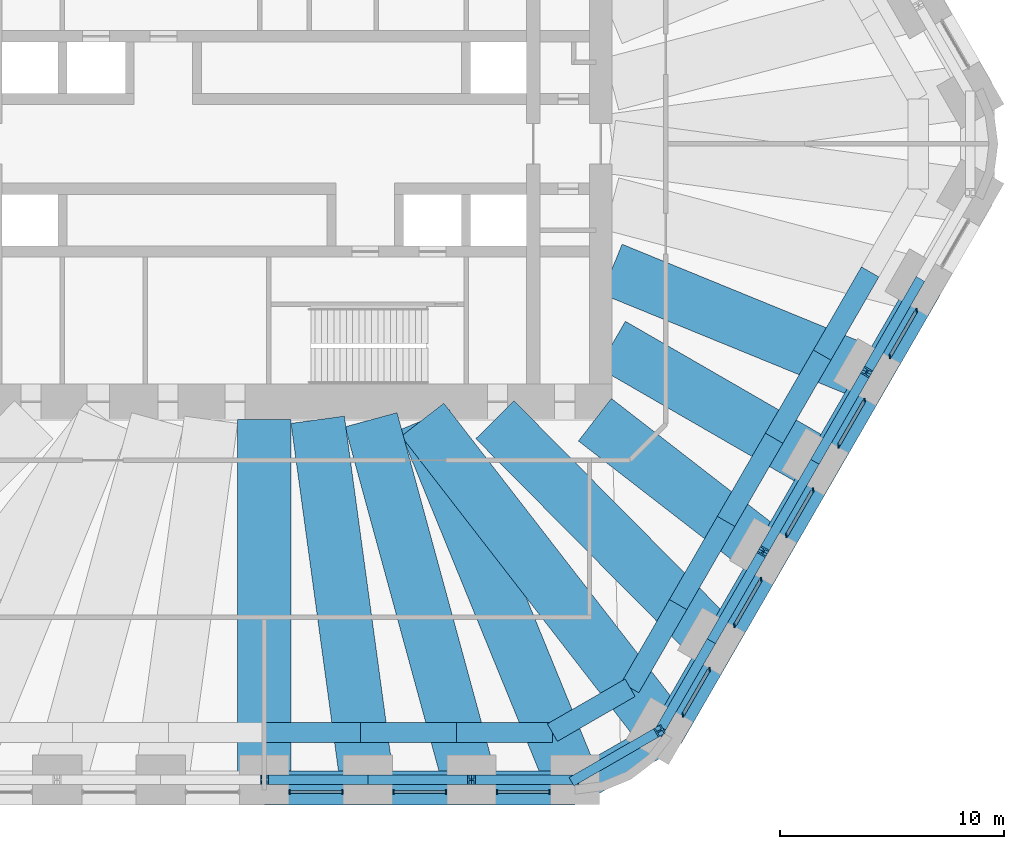
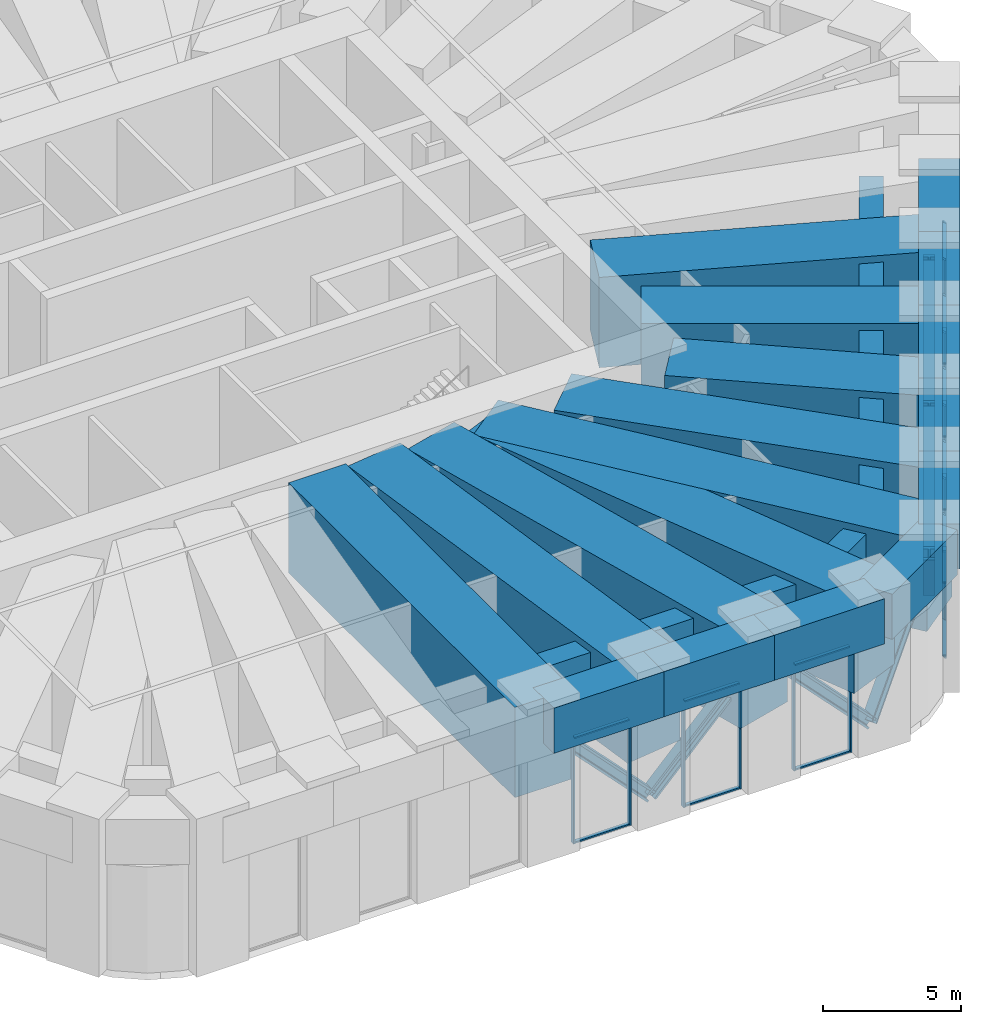
# One storey, part 4 of 14: 41 members, 27 beams, 8 elements without a shape of their own.
"""IFC4 building model written with IfcOpenShell, lengths in metres."""

from ifc_helpers import new_model, si_unit, direction, frame, origin, origin_2d, place, context, subcontext, project, spatial, rectangle, i_section, extrude, material, material_profile, profile_set, type_object, element, aggregate, save


model = new_model("IFC4")

# Units and contexts
model_context = context("Model", 3, precision=1e-05, world=origin(), true_north=direction((0.0, 1.0)))
body_context = subcontext(model_context, "Body", "Model", "MODEL_VIEW")
ifc_project = project(units=[si_unit("LENGTHUNIT", "METRE"), si_unit("AREAUNIT", "SQUARE_METRE"), si_unit("VOLUMEUNIT", "CUBIC_METRE"), si_unit("PLANEANGLEUNIT", "RADIAN"), si_unit("MASSUNIT", "GRAM", prefix="KILO")], contexts=[model_context])

# Site, building, storey
site_placement = place(None, origin())
site = spatial("IfcSite", under=ifc_project, at=site_placement, CompositionType="ELEMENT")
building_placement = place(site_placement, origin())
building = spatial("IfcBuilding", under=site, at=building_placement, Name="Tarfa Lantern Tower", CompositionType="ELEMENT")
storey_placement = place(building_placement, frame((0.0, 0.0, 299.5)))
storey = spatial("IfcBuildingStorey", under=building, at=storey_placement, Name="L68", CompositionType="ELEMENT", Elevation=299.5)

# Members
ifc_material_1 = material(Name="Steel S460M", Category="steel")
ifc_material_profile_1 = material_profile(ifc_material_1, i_section(OverallWidth=0.431884765625, OverallDepth=0.498046875, WebThickness=0.0556640625, FlangeThickness=0.0888671875, FilletRadius=0.02001953125, at=origin_2d()), Name="HD400x744")
ifc_profile_set_1 = profile_set([ifc_material_profile_1], Name="Steel S460M")
member_type_1 = type_object("IfcMemberType", Name="BT3 HD400x744", PredefinedType="BRACE", material=ifc_profile_set_1)
member_1_placement = place(storey_placement, frame((4.618896484375, -28.35009765625, 0.60009765625), z_axis=(-0.693397247337, 0.0, 0.720555519988), x_axis=(0.0, -1.0, 0.0)))
element("IfcMember", 1, at=member_1_placement, inside=storey, type_object=member_type_1, Name="Belt truss diagonal 32", PredefinedType="BRACE", context=body_context, shape_type="SweptSolid", body=[
    extrude(i_section(OverallWidth=0.431884765625, OverallDepth=0.498046875, WebThickness=0.0556640625, FlangeThickness=0.0888671875, FilletRadius=0.02001953125, at=origin_2d()), origin(), (0.0, 0.0, 1.0), 6.661376953125),
])
member_2_placement = place(storey_placement, frame((4.618896484375, -28.35009765625, 0.60009765625), z_axis=(0.693378217486, 0.0, 0.720573832106), x_axis=(0.0, 1.0, 0.0)))
element("IfcMember", 2, at=member_2_placement, inside=storey, type_object=member_type_1, Name="Belt truss diagonal 33", PredefinedType="BRACE", context=body_context, shape_type="SweptSolid", body=[
    extrude(i_section(OverallWidth=0.431884765625, OverallDepth=0.498046875, WebThickness=0.0556640625, FlangeThickness=0.0888671875, FilletRadius=0.02001953125, at=origin_2d()), origin(), (0.0, 0.0, 1.0), 6.6611328125),
])
member_3_placement = place(storey_placement, frame((13.8564453125, -28.35009765625, 0.60009765625), z_axis=(-0.693397247337, 0.0, 0.720555519988), x_axis=(0.0, -1.0, 0.0)))
element("IfcMember", 3, at=member_3_placement, inside=storey, type_object=member_type_1, Name="Belt truss diagonal 34", PredefinedType="BRACE", context=body_context, shape_type="SweptSolid", body=[
    extrude(i_section(OverallWidth=0.431884765625, OverallDepth=0.498046875, WebThickness=0.0556640625, FlangeThickness=0.0888671875, FilletRadius=0.02001953125, at=origin_2d()), origin(), (0.0, 0.0, 1.0), 6.661376953125),
])
member_4_placement = place(storey_placement, frame((13.8564453125, -28.35009765625, 0.60009765625), z_axis=(0.581552074424, 0.335777539277, 0.740979506363), x_axis=(-0.500020430026, 0.866013608182, 0.0)))
element("IfcMember", 4, at=member_4_placement, inside=storey, type_object=member_type_1, Name="Belt truss diagonal 35", PredefinedType="BRACE", context=body_context, shape_type="SweptSolid", body=[
    extrude(i_section(OverallWidth=0.431884765625, OverallDepth=0.498046875, WebThickness=0.0556640625, FlangeThickness=0.0888671875, FilletRadius=0.02001953125, at=origin_2d()), origin(), (0.0, 0.0, 1.0), 6.4775390625),
])
for number, where, z_axis, x_axis, name in (
    (5, (19.93310546875, -22.175048828125, 0.60009765625), (-0.346717299558, -0.600487974203, 0.720556248342), (0.866009537788, -0.500027479704, 0.0), "Belt truss diagonal 36"),
    (6, (19.93310546875, -22.175048828125, 0.60009765625), (0.346685053974, 0.600495604642, 0.720565404496), (-0.866032426089, 0.499987836815, 0.0), "Belt truss diagonal 37"),
    (7, (24.5517578125, -14.175048828125, 0.60009765625), (-0.346685053974, -0.600495604642, 0.720565404496), (0.866032426089, -0.499987836815, 0.0), "Belt truss diagonal 38"),
    (8, (24.5517578125, -14.175048828125, 0.60009765625), (0.346717299558, 0.600487974203, 0.720556248342), (-0.866009537788, 0.500027479704, 0.0), "Belt truss diagonal 39"),
    (9, (29.170654296875, -6.175048828125, 0.60009765625), (-0.346685053974, -0.600495604642, 0.720565404496), (0.866032426089, -0.499987836815, 0.0), "Belt truss diagonal 40"),
):
    element("IfcMember", number, at=place(storey_placement, frame(where, z_axis=z_axis, x_axis=x_axis)), inside=storey, type_object=member_type_1, Name=name, PredefinedType="BRACE", context=body_context, shape_type="SweptSolid", body=[
        extrude(i_section(OverallWidth=0.431884765625, OverallDepth=0.498046875, WebThickness=0.0556640625, FlangeThickness=0.0888671875, FilletRadius=0.02001953125, at=origin_2d()), origin(), (0.0, 0.0, 1.0), 6.6611328125),
    ])

# Curtain wall, members
ifc_material_2 = material(Name="Aluminium framed curtain wall", Category="aluminium")
curtain_wall_type = type_object("IfcCurtainWallType", Name="CW6 LOUVRED SCREEN WALL 4700", PredefinedType="USERDEFINED", material=ifc_material_2)
curtain_wall_1_placement = place(storey_placement, origin())
curtain_wall_1 = element("IfcCurtainWall", 10, at=curtain_wall_1_placement, inside=storey, type_object=curtain_wall_type, Name="CW6 S L68", ObjectType="CURTAIN WALL", PredefinedType="USERDEFINED")
ifc_material_3 = material(Name="Aluminium mullion", Category="aluminium")
ifc_material_profile_2 = material_profile(ifc_material_3, rectangle(XDim=0.06494140625, YDim=0.199951171875, at=origin_2d()), Name="AL MULLION 65x200")
ifc_profile_set_2 = profile_set([ifc_material_profile_2], Name="Aluminium mullion")
member_type_2 = type_object("IfcMemberType", Name="CWM1 MULLION 65x200", PredefinedType="MULLION", material=ifc_profile_set_2)
member_5_placement = place(storey_placement, frame((1.132568359375, -28.89990234375, 0.0), z_axis=(0.0, 0.0, 1.0), x_axis=(1.0, 0.0, 0.0)))
member_5 = element("IfcMember", 11, at=member_5_placement, type_object=member_type_2, Name="CW6 mullion 1", PredefinedType="MULLION", context=body_context, shape_type="SweptSolid", body=[
    extrude(rectangle(XDim=0.06494140625, YDim=0.199951171875, at=origin_2d()), origin(), (0.0, 0.0, 1.0), 4.699951171875),
])
member_6_placement = place(storey_placement, frame((3.486328125, -28.89990234375, 0.0), z_axis=(0.0, 0.0, 1.0), x_axis=(1.0, 0.0, 0.0)))
member_6 = element("IfcMember", 12, at=member_6_placement, type_object=member_type_2, Name="CW6 mullion 2", PredefinedType="MULLION", context=body_context, shape_type="SweptSolid", body=[
    extrude(rectangle(XDim=0.06494140625, YDim=0.199951171875, at=origin_2d()), origin(), (0.0, 0.0, 1.0), 4.699951171875),
])

curtain_wall_2_placement = place(storey_placement, origin())
curtain_wall_2 = element("IfcCurtainWall", 13, at=curtain_wall_2_placement, inside=storey, type_object=curtain_wall_type, Name="CW6 S L68", ObjectType="CURTAIN WALL", PredefinedType="USERDEFINED")
member_7_placement = place(storey_placement, frame((5.751220703125, -28.89990234375, 0.0), z_axis=(0.0, 0.0, 1.0), x_axis=(1.0, 0.0, 0.0)))
member_7 = element("IfcMember", 14, at=member_7_placement, type_object=member_type_2, Name="CW6 mullion 1", PredefinedType="MULLION", context=body_context, shape_type="SweptSolid", body=[
    extrude(rectangle(XDim=0.06494140625, YDim=0.199951171875, at=origin_2d()), origin(), (0.0, 0.0, 1.0), 4.699951171875),
])
member_8_placement = place(storey_placement, frame((8.105224609375, -28.89990234375, 0.0), z_axis=(0.0, 0.0, 1.0), x_axis=(1.0, 0.0, 0.0)))
member_8 = element("IfcMember", 15, at=member_8_placement, type_object=member_type_2, Name="CW6 mullion 2", PredefinedType="MULLION", context=body_context, shape_type="SweptSolid", body=[
    extrude(rectangle(XDim=0.06494140625, YDim=0.199951171875, at=origin_2d()), origin(), (0.0, 0.0, 1.0), 4.699951171875),
])

curtain_wall_3_placement = place(storey_placement, origin())
curtain_wall_3 = element("IfcCurtainWall", 16, at=curtain_wall_3_placement, inside=storey, type_object=curtain_wall_type, Name="CW6 S L68", ObjectType="CURTAIN WALL", PredefinedType="USERDEFINED")
member_9_placement = place(storey_placement, frame((10.3701171875, -28.89990234375, 0.0), z_axis=(0.0, 0.0, 1.0), x_axis=(1.0, 0.0, 0.0)))
member_9 = element("IfcMember", 17, at=member_9_placement, type_object=member_type_2, Name="CW6 mullion 1", PredefinedType="MULLION", context=body_context, shape_type="SweptSolid", body=[
    extrude(rectangle(XDim=0.06494140625, YDim=0.199951171875, at=origin_2d()), origin(), (0.0, 0.0, 1.0), 4.699951171875),
])
member_10_placement = place(storey_placement, frame((12.723876953125, -28.89990234375, 0.0), z_axis=(0.0, 0.0, 1.0), x_axis=(1.0, 0.0, 0.0)))
member_10 = element("IfcMember", 18, at=member_10_placement, type_object=member_type_2, Name="CW6 mullion 2", PredefinedType="MULLION", context=body_context, shape_type="SweptSolid", body=[
    extrude(rectangle(XDim=0.06494140625, YDim=0.199951171875, at=origin_2d()), origin(), (0.0, 0.0, 1.0), 4.699951171875),
])

curtain_wall_4_placement = place(storey_placement, origin())
curtain_wall_4 = element("IfcCurtainWall", 19, at=curtain_wall_4_placement, inside=storey, type_object=curtain_wall_type, Name="CW6 SE L68", ObjectType="CURTAIN WALL", PredefinedType="USERDEFINED")
member_11_placement = place(storey_placement, frame((18.666259765625, -25.46923828125, 0.0), z_axis=(0.0, 0.0, 1.0), x_axis=(1.0, 0.0, 0.0)))
member_11 = element("IfcMember", 20, at=member_11_placement, type_object=member_type_2, Name="CW6 mullion 1", PredefinedType="MULLION", context=body_context, shape_type="SweptSolid", body=[
    extrude(rectangle(XDim=0.06494140625, YDim=0.199951171875, at=origin_2d()), origin(), (0.0, 0.0, 1.0), 4.699951171875),
])
member_12_placement = place(storey_placement, frame((19.843017578125, -23.4306640625, 0.0), z_axis=(0.0, 0.0, 1.0), x_axis=(1.0, 0.0, 0.0)))
member_12 = element("IfcMember", 21, at=member_12_placement, type_object=member_type_2, Name="CW6 mullion 2", PredefinedType="MULLION", context=body_context, shape_type="SweptSolid", body=[
    extrude(rectangle(XDim=0.06494140625, YDim=0.199951171875, at=origin_2d()), origin(), (0.0, 0.0, 1.0), 4.699951171875),
])

curtain_wall_5_placement = place(storey_placement, origin())
curtain_wall_5 = element("IfcCurtainWall", 22, at=curtain_wall_5_placement, inside=storey, type_object=curtain_wall_type, Name="CW6 SE L68", ObjectType="CURTAIN WALL", PredefinedType="USERDEFINED")
member_13_placement = place(storey_placement, frame((20.9755859375, -21.46923828125, 0.0), z_axis=(0.0, 0.0, 1.0), x_axis=(1.0, 0.0, 0.0)))
member_13 = element("IfcMember", 23, at=member_13_placement, type_object=member_type_2, Name="CW6 mullion 1", PredefinedType="MULLION", context=body_context, shape_type="SweptSolid", body=[
    extrude(rectangle(XDim=0.06494140625, YDim=0.199951171875, at=origin_2d()), origin(), (0.0, 0.0, 1.0), 4.699951171875),
])
member_14_placement = place(storey_placement, frame((22.152587890625, -19.4306640625, 0.0), z_axis=(0.0, 0.0, 1.0), x_axis=(1.0, 0.0, 0.0)))
member_14 = element("IfcMember", 24, at=member_14_placement, type_object=member_type_2, Name="CW6 mullion 2", PredefinedType="MULLION", context=body_context, shape_type="SweptSolid", body=[
    extrude(rectangle(XDim=0.06494140625, YDim=0.199951171875, at=origin_2d()), origin(), (0.0, 0.0, 1.0), 4.699951171875),
])

curtain_wall_6_placement = place(storey_placement, origin())
curtain_wall_6 = element("IfcCurtainWall", 25, at=curtain_wall_6_placement, inside=storey, type_object=curtain_wall_type, Name="CW6 SE L68", ObjectType="CURTAIN WALL", PredefinedType="USERDEFINED")
member_15_placement = place(storey_placement, frame((23.284912109375, -17.46923828125, 0.0), z_axis=(0.0, 0.0, 1.0), x_axis=(1.0, 0.0, 0.0)))
member_15 = element("IfcMember", 26, at=member_15_placement, type_object=member_type_2, Name="CW6 mullion 1", PredefinedType="MULLION", context=body_context, shape_type="SweptSolid", body=[
    extrude(rectangle(XDim=0.06494140625, YDim=0.199951171875, at=origin_2d()), origin(), (0.0, 0.0, 1.0), 4.699951171875),
])
member_16_placement = place(storey_placement, frame((24.4619140625, -15.4306640625, 0.0), z_axis=(0.0, 0.0, 1.0), x_axis=(1.0, 0.0, 0.0)))
member_16 = element("IfcMember", 27, at=member_16_placement, type_object=member_type_2, Name="CW6 mullion 2", PredefinedType="MULLION", context=body_context, shape_type="SweptSolid", body=[
    extrude(rectangle(XDim=0.06494140625, YDim=0.199951171875, at=origin_2d()), origin(), (0.0, 0.0, 1.0), 4.699951171875),
])

curtain_wall_7_placement = place(storey_placement, origin())
curtain_wall_7 = element("IfcCurtainWall", 28, at=curtain_wall_7_placement, inside=storey, type_object=curtain_wall_type, Name="CW6 SE L68", ObjectType="CURTAIN WALL", PredefinedType="USERDEFINED")
member_17_placement = place(storey_placement, frame((25.594482421875, -13.46923828125, 0.0), z_axis=(0.0, 0.0, 1.0), x_axis=(1.0, 0.0, 0.0)))
member_17 = element("IfcMember", 29, at=member_17_placement, type_object=member_type_2, Name="CW6 mullion 1", PredefinedType="MULLION", context=body_context, shape_type="SweptSolid", body=[
    extrude(rectangle(XDim=0.06494140625, YDim=0.199951171875, at=origin_2d()), origin(), (0.0, 0.0, 1.0), 4.699951171875),
])
member_18_placement = place(storey_placement, frame((26.771240234375, -11.4306640625, 0.0), z_axis=(0.0, 0.0, 1.0), x_axis=(1.0, 0.0, 0.0)))
member_18 = element("IfcMember", 30, at=member_18_placement, type_object=member_type_2, Name="CW6 mullion 2", PredefinedType="MULLION", context=body_context, shape_type="SweptSolid", body=[
    extrude(rectangle(XDim=0.06494140625, YDim=0.199951171875, at=origin_2d()), origin(), (0.0, 0.0, 1.0), 4.699951171875),
])

curtain_wall_8_placement = place(storey_placement, origin())
curtain_wall_8 = element("IfcCurtainWall", 31, at=curtain_wall_8_placement, inside=storey, type_object=curtain_wall_type, Name="CW6 SE L68", ObjectType="CURTAIN WALL", PredefinedType="USERDEFINED")
member_19_placement = place(storey_placement, frame((27.90380859375, -9.46923828125, 0.0), z_axis=(0.0, 0.0, 1.0), x_axis=(1.0, 0.0, 0.0)))
member_19 = element("IfcMember", 32, at=member_19_placement, type_object=member_type_2, Name="CW6 mullion 1", PredefinedType="MULLION", context=body_context, shape_type="SweptSolid", body=[
    extrude(rectangle(XDim=0.06494140625, YDim=0.199951171875, at=origin_2d()), origin(), (0.0, 0.0, 1.0), 4.699951171875),
])
member_20_placement = place(storey_placement, frame((29.08056640625, -7.4306640625, 0.0), z_axis=(0.0, 0.0, 1.0), x_axis=(1.0, 0.0, 0.0)))
member_20 = element("IfcMember", 33, at=member_20_placement, type_object=member_type_2, Name="CW6 mullion 2", PredefinedType="MULLION", context=body_context, shape_type="SweptSolid", body=[
    extrude(rectangle(XDim=0.06494140625, YDim=0.199951171875, at=origin_2d()), origin(), (0.0, 0.0, 1.0), 4.699951171875),
])

# Member
ifc_material_4 = material(Name="Aluminium transom", Category="aluminium")
ifc_material_profile_3 = material_profile(ifc_material_4, rectangle(XDim=0.14990234375, YDim=0.06494140625, at=origin_2d()), Name="AL TRANSOM 150x65")
ifc_profile_set_3 = profile_set([ifc_material_profile_3], Name="Aluminium transom")
member_type_3 = type_object("IfcMemberType", Name="CWT1 TRANSOM 150x65", PredefinedType="USERDEFINED", material=ifc_profile_set_3)
member_21_placement = place(storey_placement, frame((1.1650390625, -28.89990234375, 0.032470703125), z_axis=(1.0, 0.0, 0.0), x_axis=(0.0, 1.0, 0.0)))
member_21 = element("IfcMember", 34, at=member_21_placement, type_object=member_type_3, Name="CW6 transom 1.1", ObjectType="TRANSOM", PredefinedType="USERDEFINED", context=body_context, shape_type="SweptSolid", body=[
    extrude(rectangle(XDim=0.14990234375, YDim=0.06494140625, at=origin_2d()), origin(), (0.0, 0.0, 1.0), 2.288818359375),
])

member_22_placement = place(storey_placement, frame((1.1650390625, -28.89990234375, 4.66748046875), z_axis=(1.0, 0.0, 0.0), x_axis=(0.0, 1.0, 0.0)))
member_22 = element("IfcMember", 35, at=member_22_placement, type_object=member_type_3, Name="CW6 transom 1.2", ObjectType="TRANSOM", PredefinedType="USERDEFINED", context=body_context, shape_type="SweptSolid", body=[
    extrude(rectangle(XDim=0.14990234375, YDim=0.06494140625, at=origin_2d()), origin(), (0.0, 0.0, 1.0), 2.288818359375),
])

aggregate(curtain_wall_1, [member_5, member_6, member_21, member_22])

member_23_placement = place(storey_placement, frame((5.78369140625, -28.89990234375, 0.032470703125), z_axis=(1.0, 0.0, 0.0), x_axis=(0.0, 1.0, 0.0)))
member_23 = element("IfcMember", 36, at=member_23_placement, type_object=member_type_3, Name="CW6 transom 1.1", ObjectType="TRANSOM", PredefinedType="USERDEFINED", context=body_context, shape_type="SweptSolid", body=[
    extrude(rectangle(XDim=0.14990234375, YDim=0.06494140625, at=origin_2d()), origin(), (0.0, 0.0, 1.0), 2.288818359375),
])

member_24_placement = place(storey_placement, frame((5.78369140625, -28.89990234375, 4.66748046875), z_axis=(1.0, 0.0, 0.0), x_axis=(0.0, 1.0, 0.0)))
member_24 = element("IfcMember", 37, at=member_24_placement, type_object=member_type_3, Name="CW6 transom 1.2", ObjectType="TRANSOM", PredefinedType="USERDEFINED", context=body_context, shape_type="SweptSolid", body=[
    extrude(rectangle(XDim=0.14990234375, YDim=0.06494140625, at=origin_2d()), origin(), (0.0, 0.0, 1.0), 2.288818359375),
])

aggregate(curtain_wall_2, [member_7, member_8, member_23, member_24])

member_25_placement = place(storey_placement, frame((10.402587890625, -28.89990234375, 0.032470703125), z_axis=(1.0, 0.0, 0.0), x_axis=(0.0, 1.0, 0.0)))
member_25 = element("IfcMember", 38, at=member_25_placement, type_object=member_type_3, Name="CW6 transom 1.1", ObjectType="TRANSOM", PredefinedType="USERDEFINED", context=body_context, shape_type="SweptSolid", body=[
    extrude(rectangle(XDim=0.14990234375, YDim=0.06494140625, at=origin_2d()), origin(), (0.0, 0.0, 1.0), 2.288818359375),
])

member_26_placement = place(storey_placement, frame((10.402587890625, -28.89990234375, 4.66748046875), z_axis=(1.0, 0.0, 0.0), x_axis=(0.0, 1.0, 0.0)))
member_26 = element("IfcMember", 39, at=member_26_placement, type_object=member_type_3, Name="CW6 transom 1.2", ObjectType="TRANSOM", PredefinedType="USERDEFINED", context=body_context, shape_type="SweptSolid", body=[
    extrude(rectangle(XDim=0.14990234375, YDim=0.06494140625, at=origin_2d()), origin(), (0.0, 0.0, 1.0), 2.288818359375),
])

aggregate(curtain_wall_3, [member_9, member_10, member_25, member_26])

member_27_placement = place(storey_placement, frame((18.682373046875, -25.441162109375, 0.032470703125), z_axis=(0.500039451542, 0.866002625228, 0.0), x_axis=(-0.866002625228, 0.500039451542, 0.0)))
member_27 = element("IfcMember", 40, at=member_27_placement, type_object=member_type_3, Name="CW6 transom 1.1", ObjectType="TRANSOM", PredefinedType="USERDEFINED", context=body_context, shape_type="SweptSolid", body=[
    extrude(rectangle(XDim=0.14990234375, YDim=0.06494140625, at=origin_2d()), origin(), (0.0, 0.0, 1.0), 2.288818359375),
])

member_28_placement = place(storey_placement, frame((18.682373046875, -25.441162109375, 4.66748046875), z_axis=(0.500039451542, 0.866002625228, 0.0), x_axis=(-0.866002625228, 0.500039451542, 0.0)))
member_28 = element("IfcMember", 41, at=member_28_placement, type_object=member_type_3, Name="CW6 transom 1.2", ObjectType="TRANSOM", PredefinedType="USERDEFINED", context=body_context, shape_type="SweptSolid", body=[
    extrude(rectangle(XDim=0.14990234375, YDim=0.06494140625, at=origin_2d()), origin(), (0.0, 0.0, 1.0), 2.288818359375),
])

aggregate(curtain_wall_4, [member_11, member_12, member_27, member_28])

member_29_placement = place(storey_placement, frame((20.991943359375, -21.441162109375, 0.032470703125), z_axis=(0.499959451571, 0.866048813165, 0.0), x_axis=(-0.866048813165, 0.499959451571, 0.0)))
member_29 = element("IfcMember", 42, at=member_29_placement, type_object=member_type_3, Name="CW6 transom 1.1", ObjectType="TRANSOM", PredefinedType="USERDEFINED", context=body_context, shape_type="SweptSolid", body=[
    extrude(rectangle(XDim=0.14990234375, YDim=0.06494140625, at=origin_2d()), origin(), (0.0, 0.0, 1.0), 2.288818359375),
])

member_30_placement = place(storey_placement, frame((20.991943359375, -21.441162109375, 4.66748046875), z_axis=(0.499959451571, 0.866048813165, 0.0), x_axis=(-0.866048813165, 0.499959451571, 0.0)))
member_30 = element("IfcMember", 43, at=member_30_placement, type_object=member_type_3, Name="CW6 transom 1.2", ObjectType="TRANSOM", PredefinedType="USERDEFINED", context=body_context, shape_type="SweptSolid", body=[
    extrude(rectangle(XDim=0.14990234375, YDim=0.06494140625, at=origin_2d()), origin(), (0.0, 0.0, 1.0), 2.288818359375),
])

aggregate(curtain_wall_5, [member_13, member_14, member_29, member_30])

member_31_placement = place(storey_placement, frame((23.30126953125, -17.441162109375, 0.032470703125), z_axis=(0.499959451571, 0.866048813165, 0.0), x_axis=(-0.866048813165, 0.499959451571, 0.0)))
member_31 = element("IfcMember", 44, at=member_31_placement, type_object=member_type_3, Name="CW6 transom 1.1", ObjectType="TRANSOM", PredefinedType="USERDEFINED", context=body_context, shape_type="SweptSolid", body=[
    extrude(rectangle(XDim=0.14990234375, YDim=0.06494140625, at=origin_2d()), origin(), (0.0, 0.0, 1.0), 2.288818359375),
])

member_32_placement = place(storey_placement, frame((23.30126953125, -17.441162109375, 4.66748046875), z_axis=(0.499959451571, 0.866048813165, 0.0), x_axis=(-0.866048813165, 0.499959451571, 0.0)))
member_32 = element("IfcMember", 45, at=member_32_placement, type_object=member_type_3, Name="CW6 transom 1.2", ObjectType="TRANSOM", PredefinedType="USERDEFINED", context=body_context, shape_type="SweptSolid", body=[
    extrude(rectangle(XDim=0.14990234375, YDim=0.06494140625, at=origin_2d()), origin(), (0.0, 0.0, 1.0), 2.288818359375),
])

aggregate(curtain_wall_6, [member_15, member_16, member_31, member_32])

member_33_placement = place(storey_placement, frame((25.610595703125, -13.441162109375, 0.032470703125), z_axis=(0.500039451542, 0.866002625228, 0.0), x_axis=(-0.866002625228, 0.500039451542, 0.0)))
member_33 = element("IfcMember", 46, at=member_33_placement, type_object=member_type_3, Name="CW6 transom 1.1", ObjectType="TRANSOM", PredefinedType="USERDEFINED", context=body_context, shape_type="SweptSolid", body=[
    extrude(rectangle(XDim=0.14990234375, YDim=0.06494140625, at=origin_2d()), origin(), (0.0, 0.0, 1.0), 2.288818359375),
])

member_34_placement = place(storey_placement, frame((25.610595703125, -13.441162109375, 4.66748046875), z_axis=(0.500039451542, 0.866002625228, 0.0), x_axis=(-0.866002625228, 0.500039451542, 0.0)))
member_34 = element("IfcMember", 47, at=member_34_placement, type_object=member_type_3, Name="CW6 transom 1.2", ObjectType="TRANSOM", PredefinedType="USERDEFINED", context=body_context, shape_type="SweptSolid", body=[
    extrude(rectangle(XDim=0.14990234375, YDim=0.06494140625, at=origin_2d()), origin(), (0.0, 0.0, 1.0), 2.288818359375),
])

aggregate(curtain_wall_7, [member_17, member_18, member_33, member_34])

member_35_placement = place(storey_placement, frame((27.919921875, -9.441162109375, 0.032470703125), z_axis=(0.500039451542, 0.866002625228, 0.0), x_axis=(-0.866002625228, 0.500039451542, 0.0)))
member_35 = element("IfcMember", 48, at=member_35_placement, type_object=member_type_3, Name="CW6 transom 1.1", ObjectType="TRANSOM", PredefinedType="USERDEFINED", context=body_context, shape_type="SweptSolid", body=[
    extrude(rectangle(XDim=0.14990234375, YDim=0.06494140625, at=origin_2d()), origin(), (0.0, 0.0, 1.0), 2.288818359375),
])

member_36_placement = place(storey_placement, frame((27.919921875, -9.441162109375, 4.66748046875), z_axis=(0.500039451542, 0.866002625228, 0.0), x_axis=(-0.866002625228, 0.500039451542, 0.0)))
member_36 = element("IfcMember", 49, at=member_36_placement, type_object=member_type_3, Name="CW6 transom 1.2", ObjectType="TRANSOM", PredefinedType="USERDEFINED", context=body_context, shape_type="SweptSolid", body=[
    extrude(rectangle(XDim=0.14990234375, YDim=0.06494140625, at=origin_2d()), origin(), (0.0, 0.0, 1.0), 2.288818359375),
])

aggregate(curtain_wall_8, [member_19, member_20, member_35, member_36])

# Beams
ifc_material_5 = material(Name="Concrete C80/95", Category="concrete")
ifc_material_profile_4 = material_profile(ifc_material_5, rectangle(XDim=1.5, YDim=2.0, at=origin_2d()), Name="RC 1500x2000")
ifc_profile_set_4 = profile_set([ifc_material_profile_4], Name="Concrete C80/95")
beam_type_1 = type_object("IfcBeamType", Name="RB3 RC 1500x2000", PredefinedType="BEAM", material=ifc_profile_set_4)
beam_1_placement = place(storey_placement, frame((0.0, -28.719970703125, 5.699951171875), z_axis=(1.0, 0.0, 0.0), x_axis=(0.0, 1.0, 0.0)))
element("IfcBeam", 50, at=beam_1_placement, inside=storey, type_object=beam_type_1, Name="Edge beam S3", PredefinedType="BEAM", context=body_context, shape_type="SweptSolid", body=[
    extrude(rectangle(XDim=1.5, YDim=2.0, at=origin_2d()), origin(), (0.0, 0.0, 1.0), 4.618896484375),
])
beam_2_placement = place(storey_placement, frame((4.618896484375, -28.719970703125, 5.699951171875), z_axis=(1.0, 0.0, 0.0), x_axis=(0.0, 1.0, 0.0)))
element("IfcBeam", 51, at=beam_2_placement, inside=storey, type_object=beam_type_1, Name="Edge beam S4", PredefinedType="BEAM", context=body_context, shape_type="SweptSolid", body=[
    extrude(rectangle(XDim=1.5, YDim=2.0, at=origin_2d()), origin(), (0.0, 0.0, 1.0), 4.61865234375),
])
beam_3_placement = place(storey_placement, frame((9.237548828125, -28.719970703125, 5.699951171875), z_axis=(1.0, 0.0, 0.0), x_axis=(0.0, 1.0, 0.0)))
element("IfcBeam", 52, at=beam_3_placement, inside=storey, type_object=beam_type_1, Name="Edge beam S5", PredefinedType="BEAM", context=body_context, shape_type="SweptSolid", body=[
    extrude(rectangle(XDim=1.5, YDim=2.0, at=origin_2d()), origin(), (0.0, 0.0, 1.0), 4.618896484375),
])
beam_4_placement = place(storey_placement, frame((13.8564453125, -28.719970703125, 5.699951171875), z_axis=(0.866038294681, 0.499977671647, 0.0), x_axis=(-0.499977671647, 0.866038294681, 0.0)))
element("IfcBeam", 53, at=beam_4_placement, inside=storey, type_object=beam_type_1, Name="Edge beam S6", PredefinedType="BEAM", context=body_context, shape_type="SweptSolid", body=[
    extrude(rectangle(XDim=1.5, YDim=2.0, at=origin_2d()), origin(), (0.0, 0.0, 1.0), 4.719970703125),
])
for number, where, z_axis, x_axis, name in (
    (54, (17.944091796875, -26.360107421875, 5.699951171875), (0.499987836815, 0.866032426089, 0.0), (-0.866032426089, 0.499987836815, 0.0), "Edge beam SE0"),
    (55, (20.25341796875, -22.360107421875, 5.699951171875), (0.499987836815, 0.866032426089, 0.0), (-0.866032426089, 0.499987836815, 0.0), "Edge beam SE1"),
):
    element("IfcBeam", number, at=place(storey_placement, frame(where, z_axis=z_axis, x_axis=x_axis)), inside=storey, type_object=beam_type_1, Name=name, PredefinedType="BEAM", context=body_context, shape_type="SweptSolid", body=[
        extrude(rectangle(XDim=1.5, YDim=2.0, at=origin_2d()), origin(), (0.0, 0.0, 1.0), 4.61865234375),
    ])
beam_5_placement = place(storey_placement, frame((22.562744140625, -18.360107421875, 5.699951171875), z_axis=(0.500027479704, 0.866009537788, 0.0), x_axis=(-0.866009537788, 0.500027479704, 0.0)))
element("IfcBeam", 56, at=beam_5_placement, inside=storey, type_object=beam_type_1, Name="Edge beam SE2", PredefinedType="BEAM", context=body_context, shape_type="SweptSolid", body=[
    extrude(rectangle(XDim=1.5, YDim=2.0, at=origin_2d()), origin(), (0.0, 0.0, 1.0), 4.618896484375),
])
for number, where, z_axis, x_axis, name in (
    (57, (24.872314453125, -14.360107421875, 5.699951171875), (0.499987836815, 0.866032426089, 0.0), (-0.866032426089, 0.499987836815, 0.0), "Edge beam SE3"),
    (58, (27.181640625, -10.360107421875, 5.699951171875), (0.499987836815, 0.866032426089, 0.0), (-0.866032426089, 0.499987836815, 0.0), "Edge beam SE4"),
):
    element("IfcBeam", number, at=place(storey_placement, frame(where, z_axis=z_axis, x_axis=x_axis)), inside=storey, type_object=beam_type_1, Name=name, PredefinedType="BEAM", context=body_context, shape_type="SweptSolid", body=[
        extrude(rectangle(XDim=1.5, YDim=2.0, at=origin_2d()), origin(), (0.0, 0.0, 1.0), 4.61865234375),
    ])
ifc_material_profile_5 = material_profile(ifc_material_5, rectangle(XDim=0.89990234375, YDim=3.39990234375, at=origin_2d()), Name="RC 900x3400")
ifc_profile_set_5 = profile_set([ifc_material_profile_5], Name="Concrete C80/95")
beam_type_2 = type_object("IfcBeamType", Name="RG3 RC 900x3400", PredefinedType="BEAM", material=ifc_profile_set_5)
for number, where, z_axis, x_axis, name in (
    (59, (0.0, -26.25, 4.699951171875), (1.0, 0.0, 0.0), (0.0, 1.0, 0.0), "Ring girder S3"),
    (60, (4.281982421875, -26.25, 4.699951171875), (1.0, 0.0, 0.0), (0.0, 1.0, 0.0), "Ring girder S4"),
    (61, (8.56396484375, -26.25, 4.699951171875), (1.0, 0.0, 0.0), (0.0, 1.0, 0.0), "Ring girder S5"),
):
    element("IfcBeam", number, at=place(storey_placement, frame(where, z_axis=z_axis, x_axis=x_axis)), inside=storey, type_object=beam_type_2, Name=name, PredefinedType="BEAM", context=body_context, shape_type="SweptSolid", body=[
        extrude(rectangle(XDim=0.89990234375, YDim=3.39990234375, at=origin_2d()), origin(), (0.0, 0.0, 1.0), 4.281982421875),
    ])
beam_6_placement = place(storey_placement, frame((12.845947265625, -26.25, 4.699951171875), z_axis=(0.866026010844, 0.49999894854, 0.0), x_axis=(-0.49999894854, 0.866026010844, 0.0)))
element("IfcBeam", 62, at=beam_6_placement, inside=storey, type_object=beam_type_2, Name="Ring girder S6", PredefinedType="BEAM", context=body_context, shape_type="SweptSolid", body=[
    extrude(rectangle(XDim=0.89990234375, YDim=3.39990234375, at=origin_2d()), origin(), (0.0, 0.0, 1.0), 4.0),
])
for number, where, z_axis, x_axis, name in (
    (63, (16.31005859375, -24.25, 4.699951171875), (0.500026801138, 0.866009929587, 0.0), (-0.866009929587, 0.500026801138, 0.0), "Ring girder SE0"),
    (64, (18.451171875, -20.541748046875, 4.699951171875), (0.499959351497, 0.866048870937, 0.0), (-0.866048870937, 0.499959351497, 0.0), "Ring girder SE1"),
    (65, (20.592041015625, -16.833251953125, 4.699951171875), (0.500026801138, 0.866009929587, 0.0), (-0.866009929587, 0.500026801138, 0.0), "Ring girder SE2"),
    (66, (22.733154296875, -13.125, 4.699951171875), (0.500026801138, 0.866009929587, 0.0), (-0.866009929587, 0.500026801138, 0.0), "Ring girder SE3"),
    (67, (24.874267578125, -9.416748046875, 4.699951171875), (0.499959351497, 0.866048870937, 0.0), (-0.866048870937, 0.499959351497, 0.0), "Ring girder SE4"),
):
    element("IfcBeam", number, at=place(storey_placement, frame(where, z_axis=z_axis, x_axis=x_axis)), inside=storey, type_object=beam_type_2, Name=name, PredefinedType="BEAM", context=body_context, shape_type="SweptSolid", body=[
        extrude(rectangle(XDim=0.89990234375, YDim=3.39990234375, at=origin_2d()), origin(), (0.0, 0.0, 1.0), 4.281982421875),
    ])
ifc_material_profile_6 = material_profile(ifc_material_5, rectangle(XDim=2.39990234375, YDim=4.0, at=origin_2d()), Name="RC 2400x4000")
ifc_profile_set_6 = profile_set([ifc_material_profile_6], Name="Concrete C80/95")
beam_type_3 = type_object("IfcBeamType", Name="TG3 RC 2400x4000", PredefinedType="BEAM", material=ifc_profile_set_6)
beam_7_placement = place(storey_placement, frame((0.0, -28.719970703125, 4.699951171875), z_axis=(0.0, 1.0, 0.0), x_axis=(-1.0, 0.0, 0.0)))
element("IfcBeam", 68, at=beam_7_placement, inside=storey, type_object=beam_type_3, Name="Transfer girder S3", PredefinedType="BEAM", context=body_context, shape_type="SweptSolid", body=[
    extrude(rectangle(XDim=2.39990234375, YDim=4.0, at=origin_2d()), origin(), (0.0, 0.0, 1.0), 16.419921875),
])
beam_8_placement = place(storey_placement, frame((4.618896484375, -28.719970703125, 4.699951171875), z_axis=(-0.135109260201, 0.990830705927, 0.0), x_axis=(-0.990830705927, -0.135109260201, 0.0)))
element("IfcBeam", 69, at=beam_8_placement, inside=storey, type_object=beam_type_3, Name="Transfer girder S4", PredefinedType="BEAM", context=body_context, shape_type="SweptSolid", body=[
    extrude(rectangle(XDim=2.39990234375, YDim=4.0, at=origin_2d()), origin(), (0.0, 0.0, 1.0), 16.57177734375),
])
beam_9_placement = place(storey_placement, frame((9.237548828125, -28.719970703125, 4.699951171875), z_axis=(-0.263096771383, 0.964769448567, 0.0), x_axis=(-0.964769448567, -0.263096771383, 0.0)))
element("IfcBeam", 70, at=beam_9_placement, inside=storey, type_object=beam_type_3, Name="Transfer girder S5", PredefinedType="BEAM", context=body_context, shape_type="SweptSolid", body=[
    extrude(rectangle(XDim=2.39990234375, YDim=4.0, at=origin_2d()), origin(), (0.0, 0.0, 1.0), 17.01953125),
])
beam_10_placement = place(storey_placement, frame((13.8564453125, -28.719970703125, 4.699951171875), z_axis=(-0.378611411494, 0.925555724463, 0.0), x_axis=(-0.925555724463, -0.378611411494, 0.0)))
element("IfcBeam", 71, at=beam_10_placement, inside=storey, type_object=beam_type_3, Name="Transfer girder S6", PredefinedType="BEAM", context=body_context, shape_type="SweptSolid", body=[
    extrude(rectangle(XDim=2.39990234375, YDim=4.0, at=origin_2d()), origin(), (0.0, 0.0, 1.0), 17.74072265625),
])
beam_11_placement = place(storey_placement, frame((17.944091796875, -26.360107421875, 4.699951171875), z_axis=(-0.612252108076, 0.790662605766, 0.0), x_axis=(-0.790662605766, -0.612252108076, 0.0)))
element("IfcBeam", 72, at=beam_11_placement, inside=storey, type_object=beam_type_3, Name="Transfer girder SE0", PredefinedType="BEAM", context=body_context, shape_type="SweptSolid", body=[
    extrude(rectangle(XDim=2.39990234375, YDim=4.0, at=origin_2d()), origin(), (0.0, 0.0, 1.0), 17.78271484375),
])
beam_12_placement = place(storey_placement, frame((20.25341796875, -22.360107421875, 4.699951171875), z_axis=(-0.703962825623, 0.710236819759, 0.0), x_axis=(-0.710236819759, -0.703962825623, 0.0)))
element("IfcBeam", 73, at=beam_12_placement, inside=storey, type_object=beam_type_3, Name="Transfer girder SE1", PredefinedType="BEAM", context=body_context, shape_type="SweptSolid", body=[
    extrude(rectangle(XDim=2.39990234375, YDim=4.0, at=origin_2d()), origin(), (0.0, 0.0, 1.0), 14.164306640625),
])
beam_13_placement = place(storey_placement, frame((22.562744140625, -18.360107421875, 4.699951171875), z_axis=(-0.79053181074, 0.612420979563, 0.0), x_axis=(-0.612420979563, -0.79053181074, 0.0)))
element("IfcBeam", 74, at=beam_13_placement, inside=storey, type_object=beam_type_3, Name="Transfer girder SE2", PredefinedType="BEAM", context=body_context, shape_type="SweptSolid", body=[
    extrude(rectangle(XDim=2.39990234375, YDim=4.0, at=origin_2d()), origin(), (0.0, 0.0, 1.0), 9.895263671875),
])
beam_14_placement = place(storey_placement, frame((24.872314453125, -14.360107421875, 4.699951171875), z_axis=(-0.8660244219, 0.500001700669, 0.0), x_axis=(-0.500001700669, -0.8660244219, 0.0)))
element("IfcBeam", 75, at=beam_14_placement, inside=storey, type_object=beam_type_3, Name="Transfer girder SE3", PredefinedType="BEAM", context=body_context, shape_type="SweptSolid", body=[
    extrude(rectangle(XDim=2.39990234375, YDim=4.0, at=origin_2d()), origin(), (0.0, 0.0, 1.0), 10.822265625),
])
beam_15_placement = place(storey_placement, frame((27.181640625, -10.360107421875, 4.699951171875), z_axis=(-0.925636295671, 0.3784143868, 0.0), x_axis=(-0.3784143868, -0.925636295671, 0.0)))
element("IfcBeam", 76, at=beam_15_placement, inside=storey, type_object=beam_type_3, Name="Transfer girder SE4", PredefinedType="BEAM", context=body_context, shape_type="SweptSolid", body=[
    extrude(rectangle(XDim=2.39990234375, YDim=4.0, at=origin_2d()), origin(), (0.0, 0.0, 1.0), 12.6201171875),
])

save(model, "model.ifc")
